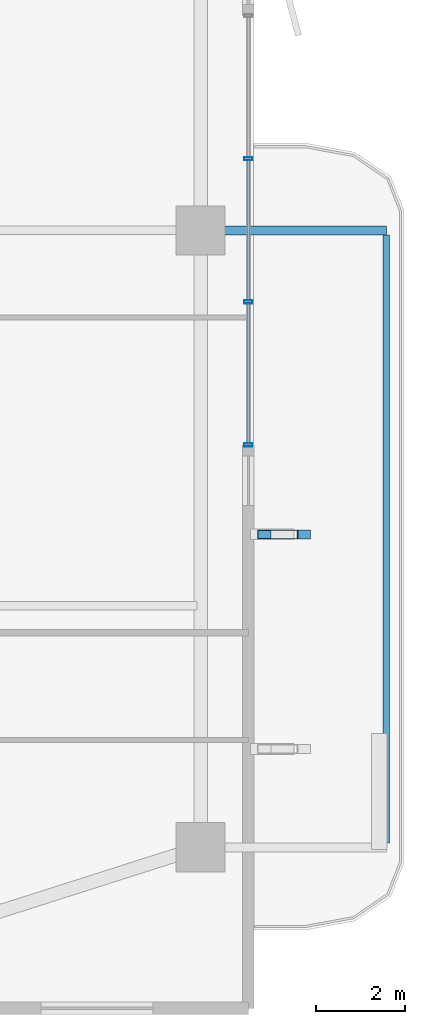
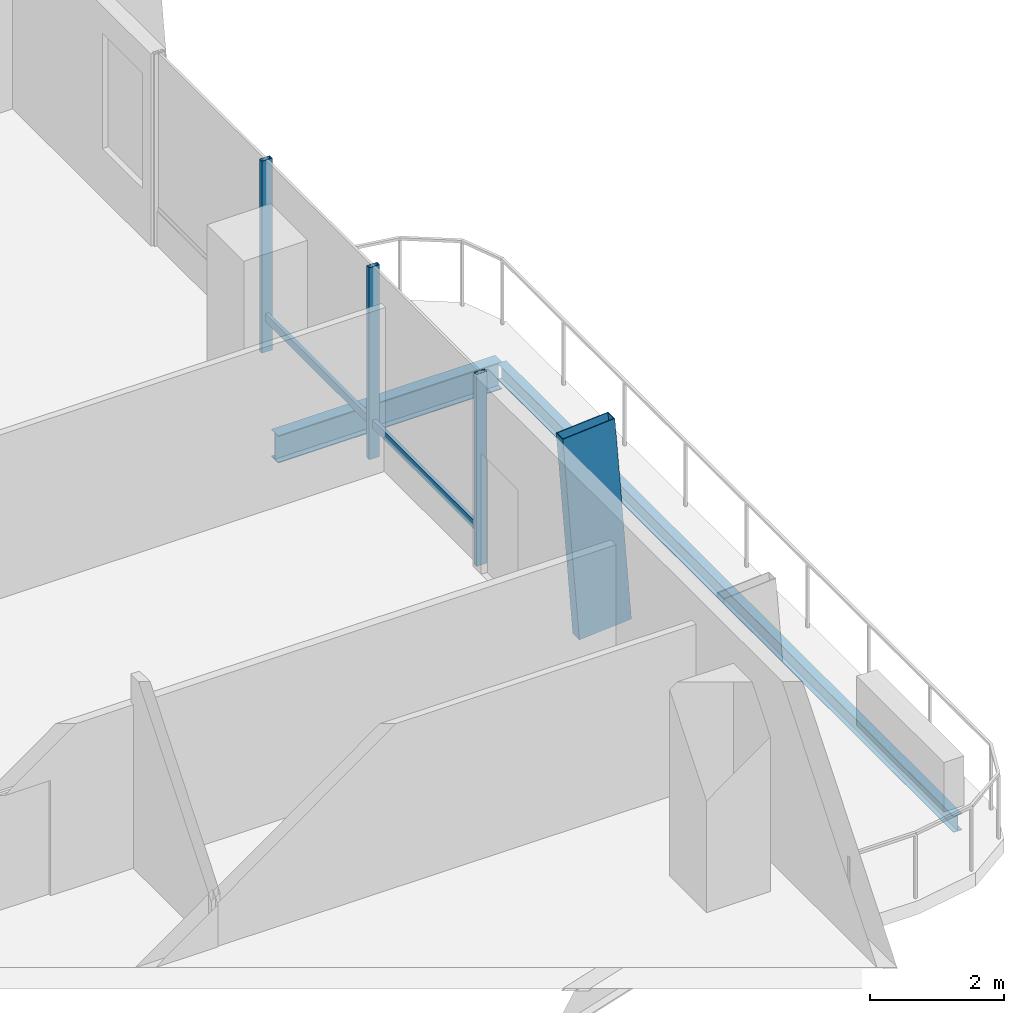
# One storey, part 10 of 25: 6 members, 2 beams, 1 element without a shape of its own.
"""IFC4 building model written with IfcOpenShell, lengths in metres."""

import ifcopenshell
import ifcopenshell.guid

model = None  # the IFC model being written
_history = None  # IfcOwnerHistory: only IFC2X3 demands one
_inside = {}  # id of a spatial element -> (the spatial element, [elements in it])
_under = {}  # id of a project, library or spatial element -> (it, [spatial elements below it])
_declared = {}  # id of a project -> (the project, [libraries it declares])
_typed = {}  # id of a type object -> (the type object, [elements of that type])
_made_of = {}  # id of a material, layer set ... -> (it, [elements and type objects made of it])


def new_model(schema):
    """Start an empty IFC model of exactly this schema.

    Asked for "IFC4X3", IfcOpenShell would pick the latest addendum, in which some entities
    have other attributes; the version numbers below select the first issue.
    IFC2X3 requires an IfcOwnerHistory on every rooted entity: one is made here for all.
    """
    global model, _history
    if schema == "IFC4X3":
        model = ifcopenshell.file(schema_version=(4, 3, 0, 0))
    else:
        model = ifcopenshell.file(schema=schema)
    _inside.clear()
    _under.clear()
    _declared.clear()
    _typed.clear()
    _made_of.clear()
    _history = None
    if model.schema == "IFC2X3":
        org = make("IfcOrganization", Name="unknown")
        user = make(
            "IfcPersonAndOrganization",
            ThePerson=make("IfcPerson", FamilyName="unknown"),
            TheOrganization=org,
        )
        app = make(
            "IfcApplication",
            ApplicationDeveloper=org,
            Version="unknown",
            ApplicationFullName="unknown",
            ApplicationIdentifier="unknown",
        )
        _history = make(
            "IfcOwnerHistory",
            OwningUser=user,
            OwningApplication=app,
            ChangeAction="ADDED",
            CreationDate=0,
        )
    return model


def make(cls, **values):
    """One entity of the class cls with the attributes given. An attribute that is None is left unset."""
    return model.create_entity(
        cls, **{name: value for name, value in values.items() if value is not None}
    )


def rooted(cls, **values):
    """An entity with a GlobalId (a new one), such as an element, a storey or a relation."""
    return make(cls, GlobalId=ifcopenshell.guid.new(), OwnerHistory=_history, **values)


def si_unit(unit_type, name, prefix=None):
    """IfcSIUnit, for example si_unit("LENGTHUNIT", "METRE", prefix="MILLI")."""
    return make("IfcSIUnit", UnitType=unit_type, Prefix=prefix, Name=name)


def assignment(units):
    """IfcUnitAssignment: the units of a project."""
    return None if units is None else make("IfcUnitAssignment", Units=units)


def point(xyz):
    """IfcCartesianPoint."""
    return None if xyz is None else make("IfcCartesianPoint", Coordinates=xyz)


def direction(xyz):
    """IfcDirection."""
    return None if xyz is None else make("IfcDirection", DirectionRatios=xyz)


def frame(location, z_axis=None, x_axis=None):
    """IfcAxis2Placement3D, a coordinate frame: its origin and axes. An axis left out is left unset."""
    return make(
        "IfcAxis2Placement3D",
        Location=point(location),
        Axis=direction(z_axis),
        RefDirection=direction(x_axis),
    )


def frame_2d(location, x_axis=None):
    """IfcAxis2Placement2D, a coordinate frame in the plane: its origin and x axis."""
    return make(
        "IfcAxis2Placement2D", Location=point(location), RefDirection=direction(x_axis)
    )


def origin():
    """The frame at (0, 0, 0) with its axes left unset."""
    return frame((0.0, 0.0, 0.0))


def origin_2d():
    """The frame at (0, 0) in the plane with its x axis left unset."""
    return frame_2d((0.0, 0.0))


def place(relative_to, where):
    """IfcLocalPlacement: puts the frame where relative to a parent placement (None: the world)."""
    return make(
        "IfcLocalPlacement", PlacementRelTo=relative_to, RelativePlacement=where
    )


def context(
    kind, dimensions, precision=None, world=None, true_north=None, identifier=None
):
    """IfcGeometricRepresentationContext, for example the 3D "Model" context."""
    return make(
        "IfcGeometricRepresentationContext",
        ContextIdentifier=identifier,
        ContextType=kind,
        CoordinateSpaceDimension=dimensions,
        Precision=precision,
        WorldCoordinateSystem=world,
        TrueNorth=true_north,
    )


def subcontext(parent, identifier, kind, view, scale=None):
    """IfcGeometricRepresentationSubContext, for example "Body" below "Model"."""
    return make(
        "IfcGeometricRepresentationSubContext",
        ContextIdentifier=identifier,
        ContextType=kind,
        ParentContext=parent,
        TargetScale=scale,
        TargetView=view,
    )


def project(units=None, contexts=None):
    """IfcProject with its units and contexts."""
    return rooted(
        "IfcProject",
        Name="project",
        RepresentationContexts=contexts,
        UnitsInContext=assignment(units),
    )


def spatial(cls, under=None, at=None, **own):
    """A site, building, storey or space (cls), placed at a placement, below another one or the project."""
    s = rooted(cls, ObjectPlacement=at, **own)
    if under is not None:
        _under.setdefault(under.id(), (under, []))[1].append(s)
    return s


def profile(cls, at=None, kind="AREA", **sizes):
    """A parametric profile (cls). Its sizes go by their IFC names, for example OverallWidth=200.0."""
    return make(cls, ProfileType=kind, Position=at, **sizes)


def hollow_rectangle(**sizes):
    """IfcRectangleHollowProfileDef."""
    return profile("IfcRectangleHollowProfileDef", **sizes)


def i_section(**sizes):
    """IfcIShapeProfileDef."""
    return profile("IfcIShapeProfileDef", **sizes)


def extrude(swept, where, along, depth):
    """IfcExtrudedAreaSolid: the profile swept, set in the frame where, extruded along a direction by depth."""
    return make(
        "IfcExtrudedAreaSolid",
        SweptArea=swept,
        Position=where,
        ExtrudedDirection=direction(along),
        Depth=depth,
    )


def shape(context_of_items, identifier, shape_type, items):
    """IfcShapeRepresentation: the items that make up one representation, for example the "Body"."""
    return make(
        "IfcShapeRepresentation",
        ContextOfItems=context_of_items,
        RepresentationIdentifier=identifier,
        RepresentationType=shape_type,
        Items=items,
    )


def material(Name=None, Category=None):
    """IfcMaterial."""
    return make("IfcMaterial", Name=Name, Category=Category)


def layer(
    of_material, thickness, ventilated=None, Name=None, Category=None, Priority=None
):
    """IfcMaterialLayer: one layer of a wall or slab, of a material (None: an air gap)."""
    return make(
        "IfcMaterialLayer",
        Material=of_material,
        LayerThickness=thickness,
        IsVentilated=ventilated,
        Name=Name,
        Category=Category,
        Priority=Priority,
    )


def layer_set(layers, Name=None):
    """IfcMaterialLayerSet."""
    return make("IfcMaterialLayerSet", MaterialLayers=layers, LayerSetName=Name)


def material_profile(
    of_material, cross_section, Name=None, Category=None, Priority=None
):
    """IfcMaterialProfile: a cross section and its material."""
    return make(
        "IfcMaterialProfile",
        Name=Name,
        Material=of_material,
        Profile=cross_section,
        Priority=Priority,
        Category=Category,
    )


def profile_set(profiles, Name=None, composite=None):
    """IfcMaterialProfileSet."""
    return make(
        "IfcMaterialProfileSet",
        Name=Name,
        MaterialProfiles=profiles,
        CompositeProfile=composite,
    )


def made_of(thing, what):
    """Note that an element or type object is made of a material, layer set ...; save() writes the relation."""
    if what is not None:
        _made_of.setdefault(what.id(), (what, []))[1].append(thing)
    return thing


def type_object(cls, material=None, **own):
    """A type object (cls), such as IfcWallType, which elements share."""
    return made_of(rooted(cls, **own), material)


def element(
    cls,
    number,
    at=None,
    inside=None,
    cuts=None,
    type_object=None,
    material=None,
    context=None,
    identifier="Body",
    shape_type=None,
    held_by="IfcProductDefinitionShape",
    body=None,
    shapes=None,
    **own,
):
    """One element of the class cls, such as IfcWall. Its Tag is "e" and its number.

    at: its placement. inside: the storey or other place that contains it. cuts: it is an
    opening in that element (IfcRelVoidsElement). A single representation is given by context,
    identifier, shape_type and body (its items); several are given by shapes. held_by: the class
    of the entity that holds the representations. save() writes the other relations.
    """
    e = rooted(cls, Tag="e%d" % number, ObjectPlacement=at, **own)
    if body is not None:
        shapes = [shape(context, identifier, shape_type, body)]
    if shapes is not None:
        e.Representation = make(held_by, Representations=shapes)
    if inside is not None:
        _inside.setdefault(inside.id(), (inside, []))[1].append(e)
    if cuts is not None:
        rooted(
            "IfcRelVoidsElement", RelatingBuildingElement=cuts, RelatedOpeningElement=e
        )
    if type_object is not None:
        _typed.setdefault(type_object.id(), (type_object, []))[1].append(e)
    return made_of(e, material)


def aggregate(whole, parts):
    """IfcRelAggregates: a whole, such as a stair, and the parts it consists of."""
    return rooted("IfcRelAggregates", RelatingObject=whole, RelatedObjects=parts)


def save(model, path):
    """Write the relations noted so far, then the file.

    IfcRelAggregates (storeys below a building ...), IfcRelContainedInSpatialStructure (elements
    in a storey), IfcRelDefinesByType, IfcRelAssociatesMaterial and IfcRelDeclares: one each for
    every whole, place, type object, material and project.
    """
    for whole, parts in _under.values():
        aggregate(whole, parts)
    for where, things in _inside.values():
        rooted(
            "IfcRelContainedInSpatialStructure",
            RelatedElements=things,
            RelatingStructure=where,
        )
    for kind, things in _typed.values():
        rooted("IfcRelDefinesByType", RelatedObjects=things, RelatingType=kind)
    for what, things in _made_of.values():
        rooted("IfcRelAssociatesMaterial", RelatedObjects=things, RelatingMaterial=what)
    for by, libraries in _declared.values():
        rooted("IfcRelDeclares", RelatingContext=by, RelatedDefinitions=libraries)
    model.write(path)


model = new_model("IFC4")

# Units and contexts
model_context = context("Model", 3, precision=1e-05, world=origin(), true_north=direction((0.0, 1.0)))
body_context = subcontext(model_context, "Body", "Model", "MODEL_VIEW")
ifc_project = project(units=[si_unit("LENGTHUNIT", "METRE"), si_unit("AREAUNIT", "SQUARE_METRE"), si_unit("VOLUMEUNIT", "CUBIC_METRE"), si_unit("PLANEANGLEUNIT", "RADIAN"), si_unit("MASSUNIT", "GRAM", prefix="KILO")], contexts=[model_context])

# Site, building, storey
site_placement = place(None, origin())
site = spatial("IfcSite", under=ifc_project, at=site_placement, CompositionType="ELEMENT")
building_placement = place(site_placement, origin())
building = spatial("IfcBuilding", under=site, at=building_placement, Name="Belovzor Exchange Tower", CompositionType="ELEMENT")
storey_placement = place(building_placement, frame((0.0, 0.0, 183.300048828125)))
storey = spatial("IfcBuildingStorey", under=building, at=storey_placement, Name="L45", CompositionType="ELEMENT", Elevation=183.300048828125)

# Beams
ifc_material_1 = material(Name="Steel S355", Category="steel")
ifc_material_profile_1 = material_profile(ifc_material_1, i_section(OverallWidth=0.199951171875, OverallDepth=0.5, WebThickness=0.01025390625, FlangeThickness=0.01611328125, at=origin_2d()))
ifc_profile_set_1 = profile_set([ifc_material_profile_1], Name="Steel S355")
beam_type_1 = type_object("IfcBeamType", Name="Planted Balcony Cantilever Beam IPE 500", PredefinedType="BEAM", material=ifc_profile_set_1)
beam_1_placement = place(storey_placement, frame((52.202880859375, 28.800048828125, -0.505126953125), z_axis=(1.0, 0.0, 0.0), x_axis=(0.0, 1.0, 0.0)))
element("IfcBeam", 1, at=beam_1_placement, inside=storey, type_object=beam_type_1, Name="BC-500 Planted Balcony Cantilever Beam IPE 500", PredefinedType="BEAM", context=body_context, shape_type="SweptSolid", body=[
    extrude(i_section(OverallWidth=0.199951171875, OverallDepth=0.5, WebThickness=0.01025390625, FlangeThickness=0.01611328125, at=origin_2d()), origin(), (0.0, 0.0, 1.0), 3.85009765625),
])
ifc_material_2 = material(Name="Steel S355", Category="steel")
ifc_material_profile_2 = material_profile(ifc_material_2, i_section(OverallWidth=0.14990234375, OverallDepth=0.300048828125, WebThickness=0.007080078125, FlangeThickness=0.0107421875, at=origin_2d()))
ifc_profile_set_2 = profile_set([ifc_material_profile_2], Name="Steel S355")
beam_type_2 = type_object("IfcBeamType", Name="Planted Balcony Fascia Edge Beam IPE 300", PredefinedType="BEAM", material=ifc_profile_set_2)
beam_2_placement = place(storey_placement, frame((56.052978515625, 15.10009765625, -0.405029296875), z_axis=(0.0, 1.0, 0.0), x_axis=(-1.0, 0.0, 0.0)))
element("IfcBeam", 2, at=beam_2_placement, inside=storey, type_object=beam_type_2, Name="BC-300 Planted Balcony Fascia Edge Beam IPE 300", PredefinedType="BEAM", context=body_context, shape_type="SweptSolid", body=[
    extrude(i_section(OverallWidth=0.14990234375, OverallDepth=0.300048828125, WebThickness=0.007080078125, FlangeThickness=0.0107421875, at=origin_2d()), origin(), (0.0, 0.0, 1.0), 13.599853515625),
])

# Member
ifc_material_3 = material(Name="Extruded Architectural Terracotta on Steel S355 Carrier", Category="masonry")
ifc_material_profile_3 = material_profile(ifc_material_3, hollow_rectangle(XDim=0.199951171875, YDim=0.89990234375, WallThickness=0.011962890625, at=origin_2d()))
ifc_profile_set_3 = profile_set([ifc_material_profile_3], Name="Extruded Architectural Terracotta on Steel S355 Carrier")
member_type_1 = type_object("IfcMemberType", Name="Sweeping Terracotta Baguette Fin Assembly 1250", PredefinedType="USERDEFINED", material=ifc_profile_set_3)
member_1_placement = place(storey_placement, frame((53.910888671875, 22.0, -0.255126953125), z_axis=(-0.076016392655, 0.0, 0.99710656805), x_axis=(0.0, -1.0, 0.0)))
element("IfcMember", 3, at=member_1_placement, inside=storey, type_object=member_type_1, Name="FIN-TC125 Terracotta Facade Fin L45 E2", ObjectType="FIN", PredefinedType="USERDEFINED", context=body_context, shape_type="SweptSolid", body=[
    extrude(hollow_rectangle(XDim=0.199951171875, YDim=0.89990234375, WallThickness=0.011962890625, at=origin_2d()), origin(), (0.0, 0.0, 1.0), 3.760986328125),
])

# Curtain wall, members
ifc_material_4 = material(Name="Anodised Aluminium Framing", Category="aluminium")
ifc_layer = layer(ifc_material_4, 0.179931640625)
ifc_layer_set = layer_set([ifc_layer], Name="Anodised Aluminium Framing")
curtain_wall_type = type_object("IfcCurtainWallType", Name="Recessed Loggia Low-Iron Triple-Glazed Curtain Wall", PredefinedType="NOTDEFINED", material=ifc_layer_set)
curtain_wall_placement = place(storey_placement, origin())
curtain_wall = element("IfcCurtainWall", 4, at=curtain_wall_placement, inside=storey, type_object=curtain_wall_type, Name="CW3 Recessed Loggia Low-Iron Triple-Glazed Curtain Wall L45", PredefinedType="NOTDEFINED")
ifc_material_5 = material(Name="Steel S355", Category="steel")
ifc_material_profile_4 = material_profile(ifc_material_5, hollow_rectangle(XDim=0.074951171875, YDim=0.179931640625, WallThickness=0.0048828125, at=origin_2d()))
ifc_profile_set_4 = profile_set([ifc_material_profile_4], Name="Steel S355")
member_type_2 = type_object("IfcMemberType", Name="Thermally Broken Curtain Wall Mullion 180x75", PredefinedType="MULLION", material=ifc_profile_set_4)
member_2_placement = place(storey_placement, frame((52.969970703125, 30.39990234375, 0.0), z_axis=(0.0, 0.0, 1.0), x_axis=(0.0, -1.0, 0.0)))
member_2 = element("IfcMember", 5, at=member_2_placement, type_object=member_type_2, Name="CW-M180 Curtain Wall Mullion 2", PredefinedType="MULLION", context=body_context, shape_type="SweptSolid", body=[
    extrude(hollow_rectangle(XDim=0.074951171875, YDim=0.179931640625, WallThickness=0.0048828125, at=origin_2d()), origin(), (0.0, 0.0, 1.0), 3.494873046875),
])
member_3_placement = place(storey_placement, frame((52.969970703125, 27.199951171875, 0.0), z_axis=(0.0, 0.0, 1.0), x_axis=(0.0, -1.0, 0.0)))
member_3 = element("IfcMember", 6, at=member_3_placement, type_object=member_type_2, Name="CW-M180 Curtain Wall Mullion 3", PredefinedType="MULLION", context=body_context, shape_type="SweptSolid", body=[
    extrude(hollow_rectangle(XDim=0.074951171875, YDim=0.179931640625, WallThickness=0.0048828125, at=origin_2d()), origin(), (0.0, 0.0, 1.0), 3.494873046875),
])
member_4_placement = place(storey_placement, frame((52.969970703125, 24.0, 0.0), z_axis=(0.0, 0.0, 1.0), x_axis=(0.0, -1.0, 0.0)))
member_4 = element("IfcMember", 7, at=member_4_placement, type_object=member_type_2, Name="CW-M180 Curtain Wall Mullion 4", PredefinedType="MULLION", context=body_context, shape_type="SweptSolid", body=[
    extrude(hollow_rectangle(XDim=0.074951171875, YDim=0.179931640625, WallThickness=0.0048828125, at=origin_2d()), origin(), (0.0, 0.0, 1.0), 3.494873046875),
])
ifc_material_6 = material(Name="Steel S355", Category="steel")
ifc_material_profile_5 = material_profile(ifc_material_6, hollow_rectangle(XDim=0.06005859375, YDim=0.14990234375, WallThickness=0.00390625, at=origin_2d()))
ifc_profile_set_5 = profile_set([ifc_material_profile_5], Name="Steel S355")
member_type_3 = type_object("IfcMemberType", Name="Thermally Broken Curtain Wall Transom 150x60", PredefinedType="USERDEFINED", material=ifc_profile_set_5)
member_5_placement = place(storey_placement, frame((52.969970703125, 30.39208984375, 0.62890625), z_axis=(0.0, -1.0, 0.0), x_axis=(1.0, 0.0, 0.0)))
member_5 = element("IfcMember", 8, at=member_5_placement, type_object=member_type_3, Name="CW-T150 Curtain Wall Transom 2", ObjectType="TRANSOM", PredefinedType="USERDEFINED", context=body_context, shape_type="SweptSolid", body=[
    extrude(hollow_rectangle(XDim=0.06005859375, YDim=0.14990234375, WallThickness=0.00390625, at=origin_2d()), origin(), (0.0, 0.0, 1.0), 3.18408203125),
])
member_6_placement = place(storey_placement, frame((52.969970703125, 27.19189453125, 0.62890625), z_axis=(0.0, -1.0, 0.0), x_axis=(1.0, 0.0, 0.0)))
member_6 = element("IfcMember", 9, at=member_6_placement, type_object=member_type_3, Name="CW-T150 Curtain Wall Transom 3", ObjectType="TRANSOM", PredefinedType="USERDEFINED", context=body_context, shape_type="SweptSolid", body=[
    extrude(hollow_rectangle(XDim=0.06005859375, YDim=0.14990234375, WallThickness=0.00390625, at=origin_2d()), origin(), (0.0, 0.0, 1.0), 3.183837890625),
])
aggregate(curtain_wall, [member_2, member_3, member_4, member_5, member_6])

save(model, "model.ifc")
